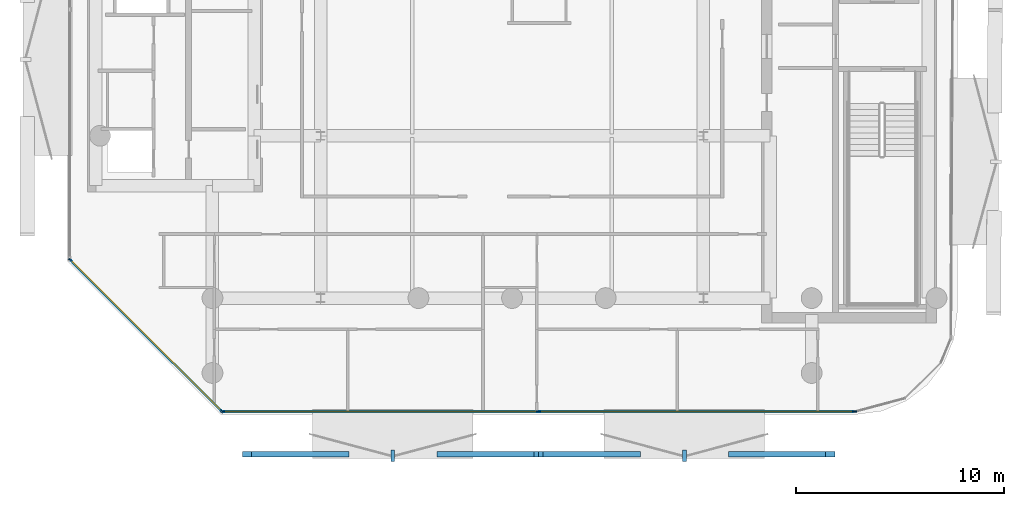
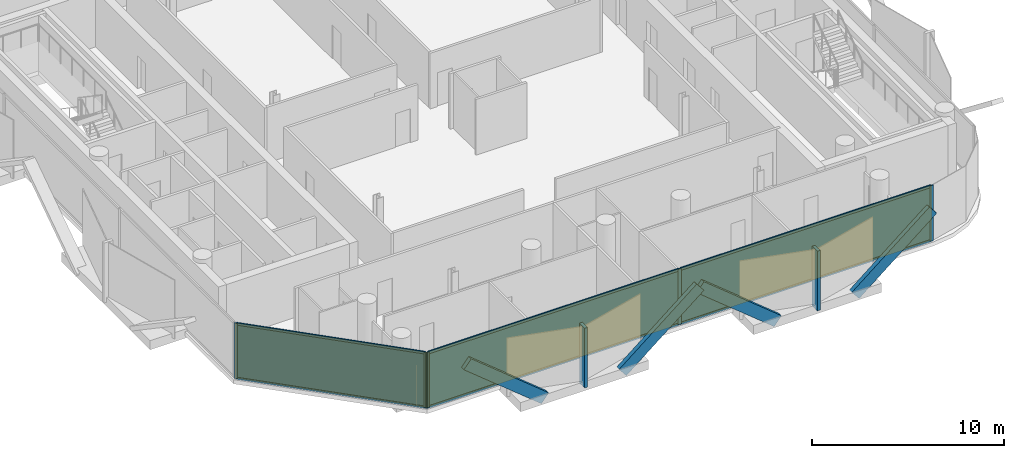
# One storey, part 9 of 16: 17 members, 3 plates, 2 curtain walls.
"""IFC4 building model written with IfcOpenShell, lengths in metres."""

from ifc_helpers import new_model, si_unit, direction, frame, frame_2d, origin, origin_2d, place, context, subcontext, project, spatial, rectangle, extrude, material, layer, layer_set, material_profile, profile_set, type_object, element, aggregate, save


model = new_model("IFC4")

# Units and contexts
model_context = context("Model", 3, precision=1e-05, world=origin(), true_north=direction((0.0, 1.0)))
body_context = subcontext(model_context, "Body", "Model", "MODEL_VIEW")
ifc_project = project(units=[si_unit("LENGTHUNIT", "METRE"), si_unit("AREAUNIT", "SQUARE_METRE"), si_unit("VOLUMEUNIT", "CUBIC_METRE"), si_unit("PLANEANGLEUNIT", "RADIAN"), si_unit("MASSUNIT", "GRAM", prefix="KILO")], contexts=[model_context])

# Member
ifc_material_1 = material(Name="Anodised Bronze Aluminium 6063-T6", Category="aluminium")
ifc_material_profile_1 = material_profile(ifc_material_1, rectangle(XDim=0.260009765625, YDim=0.699951171875, at=origin_2d()))
ifc_profile_set_1 = profile_set([ifc_material_profile_1], Name="Anodised Bronze Aluminium 6063-T6")
member_type_1 = type_object("IfcMemberType", Name="Bronze Diamond Solar-Screen Lattice Rib BDL-700", PredefinedType="MULLION", material=ifc_profile_set_1)
site_placement = place(None, origin())
building_placement = place(site_placement, origin())
storey_placement = place(building_placement, frame((0.0, 0.0, 296.60009765625)))
member_1_placement = place(storey_placement, frame((5.946533203125, -26.10009765625, -0.130126953125), z_axis=(-0.775792736064, 0.0, 0.630987821333), x_axis=(0.0, 1.0, 0.0)))
member_1 = element("IfcMember", 1, at=member_1_placement, type_object=member_type_1, Name="L71 Bronze Diamond Solar Screen Lattice Rib 494A", PredefinedType="MULLION", context=body_context, shape_type="SweptSolid", body=[
    extrude(rectangle(XDim=0.260009765625, YDim=0.699951171875, at=origin_2d()), origin(), (0.0, 0.0, 1.0), 6.0224609375),
])

member_2_placement = place(storey_placement, frame((10.61865234375, -26.10009765625, -0.130126953125), z_axis=(0.775792736064, 0.0, 0.630987821333), x_axis=(0.0, -1.0, 0.0)))
member_2 = element("IfcMember", 2, at=member_2_placement, type_object=member_type_1, Name="L71 Bronze Diamond Solar Screen Lattice Rib 494B", PredefinedType="MULLION", context=body_context, shape_type="SweptSolid", body=[
    extrude(rectangle(XDim=0.260009765625, YDim=0.699951171875, at=origin_2d()), origin(), (0.0, 0.0, 1.0), 6.0224609375),
])

member_3_placement = place(storey_placement, frame((-8.06982421875, -26.10009765625, -0.130126953125), z_axis=(-0.775792736064, 0.0, 0.630987821333), x_axis=(0.0, 1.0, 0.0)))
member_3 = element("IfcMember", 3, at=member_3_placement, type_object=member_type_1, Name="L71 Bronze Diamond Solar Screen Lattice Rib 495A", PredefinedType="MULLION", context=body_context, shape_type="SweptSolid", body=[
    extrude(rectangle(XDim=0.260009765625, YDim=0.699951171875, at=origin_2d()), origin(), (0.0, 0.0, 1.0), 6.0224609375),
])

member_4_placement = place(storey_placement, frame((-3.397705078125, -26.10009765625, -0.130126953125), z_axis=(0.775792736064, 0.0, 0.630987821333), x_axis=(0.0, -1.0, 0.0)))
member_4 = element("IfcMember", 4, at=member_4_placement, type_object=member_type_1, Name="L71 Bronze Diamond Solar Screen Lattice Rib 495B", PredefinedType="MULLION", context=body_context, shape_type="SweptSolid", body=[
    extrude(rectangle(XDim=0.260009765625, YDim=0.699951171875, at=origin_2d()), origin(), (0.0, 0.0, 1.0), 6.0224609375),
])

ifc_material_2 = material(Name="Anodised Bronze Aluminium 6063-T6", Category="aluminium")
ifc_material_profile_2 = material_profile(ifc_material_2, rectangle(XDim=0.179931640625, YDim=0.5400390625, at=origin_2d()))
ifc_profile_set_2 = profile_set([ifc_material_profile_2], Name="Anodised Bronze Aluminium 6063-T6")
member_type_2 = type_object("IfcMemberType", Name="Bronze Solar-Screen Vertical Fold Fin BSF-540", PredefinedType="MULLION", material=ifc_profile_set_2)
member_5_placement = place(storey_placement, frame((8.28271484375, -26.179931640625, -0.130126953125), z_axis=(0.0, 0.0, 1.0), x_axis=(-1.0, 0.0, 0.0)))
member_5 = element("IfcMember", 5, at=member_5_placement, type_object=member_type_2, Name="L71 Bronze Solar Screen Vertical Fin 494", PredefinedType="MULLION", context=body_context, shape_type="SweptSolid", body=[
    extrude(rectangle(XDim=0.179931640625, YDim=0.5400390625, at=origin_2d()), origin(), (0.0, 0.0, 1.0), 3.800048828125),
])

member_6_placement = place(storey_placement, frame((-5.73388671875, -26.179931640625, -0.130126953125), z_axis=(0.0, 0.0, 1.0), x_axis=(-1.0, 0.0, 0.0)))
member_6 = element("IfcMember", 6, at=member_6_placement, type_object=member_type_2, Name="L71 Bronze Solar Screen Vertical Fin 495", PredefinedType="MULLION", context=body_context, shape_type="SweptSolid", body=[
    extrude(rectangle(XDim=0.179931640625, YDim=0.5400390625, at=origin_2d()), origin(), (0.0, 0.0, 1.0), 3.800048828125),
])

ifc_material_3 = material(Name="Anodised Bronze Aluminium 6063-T6", Category="aluminium")
ifc_material_profile_3 = material_profile(ifc_material_3, rectangle(XDim=0.074951171875, YDim=0.2099609375, at=origin_2d()))
ifc_profile_set_3 = profile_set([ifc_material_profile_3], Name="Anodised Bronze Aluminium 6063-T6")
member_type_3 = type_object("IfcMemberType", Name="CW-CRN Mullion 75x210", PredefinedType="MULLION", material=ifc_profile_set_3)
member_7_placement = place(storey_placement, frame((16.453369140625, -24.06005859375, 0.0), z_axis=(0.0, 0.0, 1.0), x_axis=(0.0, -1.0, 0.0)))
member_7 = element("IfcMember", 7, at=member_7_placement, type_object=member_type_3, Name="CW-CRN mullion 1", PredefinedType="MULLION", context=body_context, shape_type="SweptSolid", body=[
    extrude(rectangle(XDim=0.074951171875, YDim=0.2099609375, at=origin_2d()), origin(), (0.0, 0.0, 1.0), 3.539794921875),
])

member_8_placement = place(storey_placement, frame((1.2744140625, -24.06005859375, 0.0), z_axis=(0.0, 0.0, 1.0), x_axis=(0.0, -1.0, 0.0)))
member_8 = element("IfcMember", 8, at=member_8_placement, type_object=member_type_3, Name="CW-CRN mullion 2", PredefinedType="MULLION", context=body_context, shape_type="SweptSolid", body=[
    extrude(rectangle(XDim=0.074951171875, YDim=0.2099609375, at=origin_2d()), origin(), (0.0, 0.0, 1.0), 3.539794921875),
])

member_9_placement = place(storey_placement, frame((-13.904541015625, -24.06005859375, 0.0), z_axis=(0.0, 0.0, 1.0), x_axis=(0.0, -1.0, 0.0)))
member_9 = element("IfcMember", 9, at=member_9_placement, type_object=member_type_3, Name="CW-CRN mullion 3", PredefinedType="MULLION", context=body_context, shape_type="SweptSolid", body=[
    extrude(rectangle(XDim=0.074951171875, YDim=0.2099609375, at=origin_2d()), origin(), (0.0, 0.0, 1.0), 3.539794921875),
])

ifc_material_4 = material(Name="Anodised Bronze Aluminium 6063-T6", Category="aluminium")
ifc_material_profile_4 = material_profile(ifc_material_4, rectangle(XDim=0.074951171875, YDim=0.1650390625, at=origin_2d()))
ifc_profile_set_4 = profile_set([ifc_material_profile_4], Name="Anodised Bronze Aluminium 6063-T6")
member_type_4 = type_object("IfcMemberType", Name="CW-CRN Transom 75x165", PredefinedType="USERDEFINED", material=ifc_profile_set_4)
member_10_placement = place(storey_placement, frame((16.415771484375, -24.06005859375, 0.037353515625), z_axis=(-1.0, 0.0, 0.0), x_axis=(0.0, -1.0, 0.0)))
member_10 = element("IfcMember", 10, at=member_10_placement, type_object=member_type_4, Name="CW-CRN transom 1.1", ObjectType="TRANSOM", PredefinedType="USERDEFINED", context=body_context, shape_type="SweptSolid", body=[
    extrude(rectangle(XDim=0.074951171875, YDim=0.1650390625, at=origin_2d()), origin(), (0.0, 0.0, 1.0), 15.103759765625),
])

member_11_placement = place(storey_placement, frame((16.415771484375, -24.06005859375, 3.50244140625), z_axis=(-1.0, 0.0, 0.0), x_axis=(0.0, -1.0, 0.0)))
member_11 = element("IfcMember", 11, at=member_11_placement, type_object=member_type_4, Name="CW-CRN transom 1.2", ObjectType="TRANSOM", PredefinedType="USERDEFINED", context=body_context, shape_type="SweptSolid", body=[
    extrude(rectangle(XDim=0.074951171875, YDim=0.1650390625, at=origin_2d()), origin(), (0.0, 0.0, 1.0), 15.103759765625),
])

member_12_placement = place(storey_placement, frame((1.23681640625, -24.06005859375, 0.037353515625), z_axis=(-1.0, 0.0, 0.0), x_axis=(0.0, -1.0, 0.0)))
member_12 = element("IfcMember", 12, at=member_12_placement, type_object=member_type_4, Name="CW-CRN transom 2.1", ObjectType="TRANSOM", PredefinedType="USERDEFINED", context=body_context, shape_type="SweptSolid", body=[
    extrude(rectangle(XDim=0.074951171875, YDim=0.1650390625, at=origin_2d()), origin(), (0.0, 0.0, 1.0), 15.103759765625),
])

member_13_placement = place(storey_placement, frame((1.23681640625, -24.06005859375, 3.50244140625), z_axis=(-1.0, 0.0, 0.0), x_axis=(0.0, -1.0, 0.0)))
member_13 = element("IfcMember", 13, at=member_13_placement, type_object=member_type_4, Name="CW-CRN transom 2.2", ObjectType="TRANSOM", PredefinedType="USERDEFINED", context=body_context, shape_type="SweptSolid", body=[
    extrude(rectangle(XDim=0.074951171875, YDim=0.1650390625, at=origin_2d()), origin(), (0.0, 0.0, 1.0), 15.103759765625),
])

ifc_material_5 = material(Name="Anodised Bronze Aluminium 6063-T6", Category="aluminium")
ifc_material_profile_5 = material_profile(ifc_material_5, rectangle(XDim=0.070068359375, YDim=0.18994140625, at=origin_2d()))
ifc_profile_set_5 = profile_set([ifc_material_profile_5], Name="Anodised Bronze Aluminium 6063-T6")
member_type_5 = type_object("IfcMemberType", Name="CW-SLC Mullion 70x190", PredefinedType="MULLION", material=ifc_profile_set_5)
member_14_placement = place(storey_placement, frame((-13.966796875, -24.03515625, 0.0), z_axis=(0.0, 0.0, 1.0), x_axis=(-0.707106781187, -0.707106781187, 0.0)))
member_14 = element("IfcMember", 14, at=member_14_placement, type_object=member_type_5, Name="CW-SLC mullion 1", PredefinedType="MULLION", context=body_context, shape_type="SweptSolid", body=[
    extrude(rectangle(XDim=0.070068359375, YDim=0.18994140625, at=origin_2d()), origin(), (0.0, 0.0, 1.0), 3.539794921875),
])

member_15_placement = place(storey_placement, frame((-21.2353515625, -16.766845703125, 0.0), z_axis=(0.0, 0.0, 1.0), x_axis=(-0.707106781187, -0.707106781187, 0.0)))
member_15 = element("IfcMember", 15, at=member_15_placement, type_object=member_type_5, Name="CW-SLC mullion 2", PredefinedType="MULLION", context=body_context, shape_type="SweptSolid", body=[
    extrude(rectangle(XDim=0.070068359375, YDim=0.18994140625, at=origin_2d()), origin(), (0.0, 0.0, 1.0), 3.539794921875),
])

ifc_material_6 = material(Name="Anodised Bronze Aluminium 6063-T6", Category="aluminium")
ifc_material_profile_6 = material_profile(ifc_material_6, rectangle(XDim=0.070068359375, YDim=0.14990234375, at=origin_2d()))
ifc_profile_set_6 = profile_set([ifc_material_profile_6], Name="Anodised Bronze Aluminium 6063-T6")
member_type_6 = type_object("IfcMemberType", Name="CW-SLC Transom 70x150", PredefinedType="USERDEFINED", material=ifc_profile_set_6)
member_16_placement = place(storey_placement, frame((-13.991455078125, -24.010498046875, 0.034912109375), z_axis=(-0.707106781187, 0.707106781187, 0.0), x_axis=(-0.707106781187, -0.707106781187, 0.0)))
member_16 = element("IfcMember", 16, at=member_16_placement, type_object=member_type_6, Name="CW-SLC transom 1.1", ObjectType="TRANSOM", PredefinedType="USERDEFINED", context=body_context, shape_type="SweptSolid", body=[
    extrude(rectangle(XDim=0.070068359375, YDim=0.14990234375, at=origin_2d()), origin(), (0.0, 0.0, 1.0), 10.209228515625),
])

member_17_placement = place(storey_placement, frame((-13.991455078125, -24.010498046875, 3.5048828125), z_axis=(-0.707106781187, 0.707106781187, 0.0), x_axis=(-0.707106781187, -0.707106781187, 0.0)))
member_17 = element("IfcMember", 17, at=member_17_placement, type_object=member_type_6, Name="CW-SLC transom 1.2", ObjectType="TRANSOM", PredefinedType="USERDEFINED", context=body_context, shape_type="SweptSolid", body=[
    extrude(rectangle(XDim=0.070068359375, YDim=0.14990234375, at=origin_2d()), origin(), (0.0, 0.0, 1.0), 10.209228515625),
])

# Plate
ifc_material_7 = material(Name="Low-E Solar Control Laminated Glass", Category="glass")
ifc_layer_1 = layer(ifc_material_7, 0.035888671875, Name="Low-E Solar Control Laminated Glass")
ifc_layer_set_1 = layer_set([ifc_layer_1], Name="Low-E Solar Control Laminated Glass")
plate_type_1 = type_object("IfcPlateType", Name="CW-CRN Low-E Double Glazed Panel 36mm", PredefinedType="CURTAIN_PANEL", material=ifc_layer_set_1)
plate_1_placement = place(storey_placement, frame((8.86376953125, -24.06005859375, 0.0751953125), z_axis=(0.0, 0.0, 1.0), x_axis=(-1.0, 0.0, 0.0)))
plate_1 = element("IfcPlate", 18, at=plate_1_placement, type_object=plate_type_1, Name="CW-CRN panel 1.1", PredefinedType="CURTAIN_PANEL", context=body_context, shape_type="SweptSolid", body=[
    extrude(rectangle(XDim=15.10400390625, YDim=0.035888671875, at=origin_2d()), origin(), (0.0, 0.0, 1.0), 3.389892578125),
])

plate_2_placement = place(storey_placement, frame((-6.31494140625, -24.06005859375, 0.0751953125), z_axis=(0.0, 0.0, 1.0), x_axis=(-1.0, 0.0, 0.0)))
plate_2 = element("IfcPlate", 19, at=plate_2_placement, type_object=plate_type_1, Name="CW-CRN panel 2.1", PredefinedType="CURTAIN_PANEL", context=body_context, shape_type="SweptSolid", body=[
    extrude(rectangle(XDim=15.10400390625, YDim=0.035888671875, at=origin_2d()), origin(), (0.0, 0.0, 1.0), 3.389892578125),
])

ifc_material_8 = material(Name="Low-E Solar Control Laminated Glass", Category="glass")
ifc_layer_2 = layer(ifc_material_8, 0.033935546875, Name="Low-E Solar Control Laminated Glass")
ifc_layer_set_2 = layer_set([ifc_layer_2], Name="Low-E Solar Control Laminated Glass")
plate_type_2 = type_object("IfcPlateType", Name="CW-SLC Low-E Double Glazed Panel 34mm", PredefinedType="CURTAIN_PANEL", material=ifc_layer_set_2)
plate_3_placement = place(storey_placement, frame((-17.60107421875, -20.40087890625, 0.070068359375), z_axis=(0.0, 0.0, 1.0), x_axis=(-0.707106781187, 0.707106781187, 0.0)))
plate_3 = element("IfcPlate", 20, at=plate_3_placement, type_object=plate_type_2, Name="CW-SLC panel 1.1", PredefinedType="CURTAIN_PANEL", context=body_context, shape_type="SweptSolid", body=[
    extrude(rectangle(XDim=10.209228515625, YDim=0.033935546875, at=origin_2d()), origin(), (0.0, 0.0, 1.0), 3.39990234375),
])

# Site, building, storey
site = spatial("IfcSite", under=ifc_project, at=site_placement, CompositionType="ELEMENT")
building = spatial("IfcBuilding", under=site, at=building_placement, Name="Khairoan Windgate Tower", CompositionType="ELEMENT")
storey = spatial("IfcBuildingStorey", under=building, at=storey_placement, Name="L71", CompositionType="ELEMENT", Elevation=296.60009765625)

# Curtain wall
ifc_material_9 = material(Name="Anodised Bronze Aluminium 6063-T6", Category="aluminium")
ifc_layer_3 = layer(ifc_material_9, 0.2099609375, Name="Anodised Bronze Aluminium 6063-T6")
ifc_layer_set_3 = layer_set([ifc_layer_3], Name="Anodised Bronze Aluminium 6063-T6")
curtain_wall_type_1 = type_object("IfcCurtainWallType", Name="Crown Observation and Vitrine Curtain Wall CW-CRN", PredefinedType="NOTDEFINED", material=ifc_layer_set_3)
curtain_wall_1_placement = place(storey_placement, frame((16.49072265625, -24.06005859375, 0.0), z_axis=(0.0, 0.0, 1.0), x_axis=(-1.0, 0.0, 0.0)))
curtain_wall_1 = element("IfcCurtainWall", 21, at=curtain_wall_1_placement, inside=storey, type_object=curtain_wall_type_1, Name="L71 Unitised Curtain Wall 1", PredefinedType="NOTDEFINED", context=body_context, shape_type="SweptSolid", body=[
    extrude(rectangle(XDim=30.4326171875, YDim=0.010009765625, at=frame_2d((15.21630859375, 0.0))), origin(), (0.0, 0.0, 1.0), 3.539794921875),
])

aggregate(curtain_wall_1, [member_7, member_8, member_9, member_10, member_11, plate_1, member_12, member_13, plate_2, member_1, member_2, member_5, member_3, member_4, member_6])

ifc_material_10 = material(Name="Anodised Bronze Aluminium 6063-T6", Category="aluminium")
ifc_layer_4 = layer(ifc_material_10, 0.18994140625, Name="Anodised Bronze Aluminium 6063-T6")
ifc_layer_set_4 = layer_set([ifc_layer_4], Name="Anodised Bronze Aluminium 6063-T6")
curtain_wall_type_2 = type_object("IfcCurtainWallType", Name="Diagonal Corner-Slice Facet Curtain Wall CW-SLC", PredefinedType="NOTDEFINED", material=ifc_layer_set_4)
curtain_wall_2_placement = place(storey_placement, frame((-13.94189453125, -24.06005859375, 0.0), z_axis=(0.0, 0.0, 1.0), x_axis=(-0.707106781187, 0.707106781187, 0.0)))
curtain_wall_2 = element("IfcCurtainWall", 22, at=curtain_wall_2_placement, inside=storey, type_object=curtain_wall_type_2, Name="L71 Crystal Slice Curtain Wall 2", PredefinedType="NOTDEFINED", context=body_context, shape_type="SweptSolid", body=[
    extrude(rectangle(XDim=10.349365234375, YDim=0.010009765625, at=frame_2d((5.1748046875, 0.0))), origin(), (0.0, 0.0, 1.0), 3.539794921875),
])

aggregate(curtain_wall_2, [member_14, member_15, member_16, member_17, plate_3])

save(model, "model.ifc")
